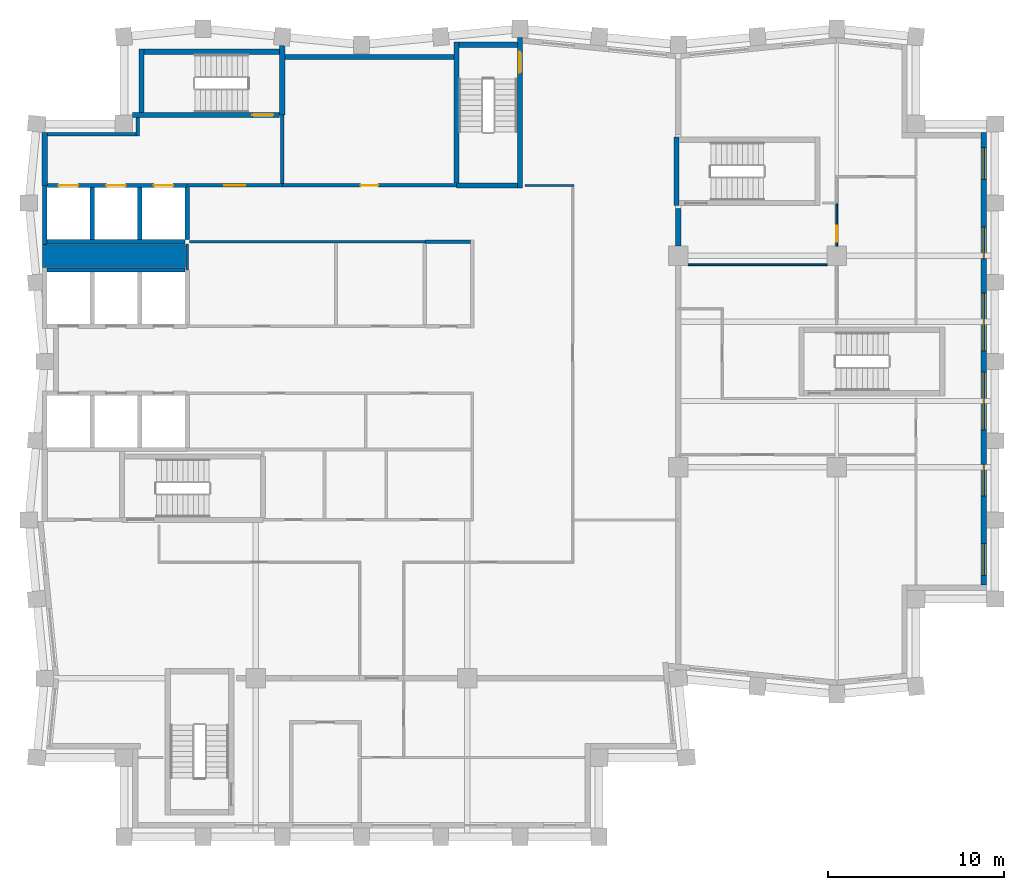
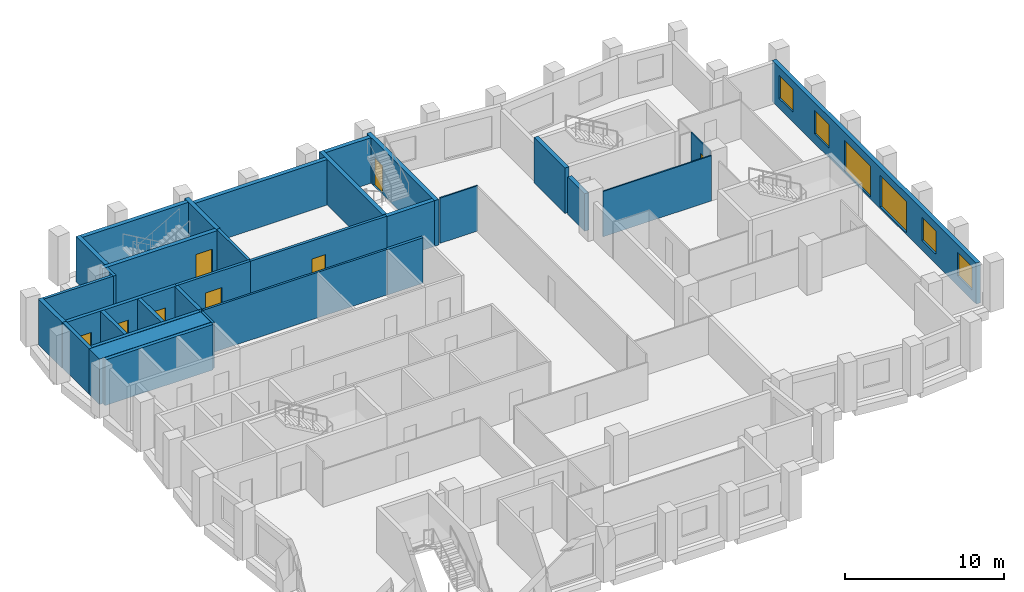
# One storey, part 5 of 8: 32 walls, 8 doors, 6 windows, 14 openings.
"""IFC4 building model written with IfcOpenShell, lengths in metres."""

from ifc_helpers import new_model, si_unit, direction, frame, frame_2d, origin, place, context, subcontext, project, spatial, rectangle, extrude, material, layer, layer_set, type_object, element, fill, save


model = new_model("IFC4")

# Units and contexts
model_context = context("Model", 3, precision=1e-05, world=origin(), true_north=direction((0.0, 1.0)))
body_context = subcontext(model_context, "Body", "Model", "MODEL_VIEW")
ifc_project = project(units=[si_unit("LENGTHUNIT", "METRE"), si_unit("AREAUNIT", "SQUARE_METRE"), si_unit("VOLUMEUNIT", "CUBIC_METRE"), si_unit("PLANEANGLEUNIT", "RADIAN"), si_unit("MASSUNIT", "GRAM", prefix="KILO")], contexts=[model_context])

# Site, building, storey
site_placement = place(None, origin())
site = spatial("IfcSite", under=ifc_project, at=site_placement, CompositionType="ELEMENT")
building_placement = place(site_placement, origin())
building = spatial("IfcBuilding", under=site, at=building_placement, Name="Brondeck Convention Tower", CompositionType="ELEMENT")
storey_placement = place(building_placement, frame((0.0, 0.0, 236.800048828125)))
storey = spatial("IfcBuildingStorey", under=building, at=storey_placement, Name="L58", CompositionType="ELEMENT", Elevation=236.800048828125)

# Walls
ifc_material_1 = material(Name="Concrete compartment wall C30/37", Category="concrete")
ifc_layer_1 = layer(ifc_material_1, 0.300048828125)
ifc_layer_set_1 = layer_set([ifc_layer_1], Name="Compartment wall 300")
wall_type_1 = type_object("IfcWallType", Name="Compartment wall 300", PredefinedType="PARTITIONING", material=ifc_layer_set_1)
wall_1_placement = place(storey_placement, frame((36.0, 51.554931640625, 0.0), z_axis=(0.0, 0.0, 1.0), x_axis=(0.0, 1.0, 0.0)))
element("IfcWall", 1, at=wall_1_placement, inside=storey, type_object=wall_type_1, Name="FLR-L58-W041", PredefinedType="PARTITIONING", context=body_context, shape_type="SweptSolid", body=[
    extrude(rectangle(XDim=2.14501953125, YDim=0.300048828125, at=frame_2d((1.072509765625, 0.0))), origin(), (0.0, 0.0, 1.0), 2.8798828125),
])
ifc_material_2 = material(Name="Concrete C50/60", Category="concrete")
ifc_layer_2 = layer(ifc_material_2, 0.300048828125)
ifc_layer_set_2 = layer_set([ifc_layer_2], Name="Core outer wall 300 Concrete C50/60")
wall_type_2 = type_object("IfcWallType", Name="Core outer wall 300 Concrete C50/60", PredefinedType="SHEAR", material=ifc_layer_set_2)
wall_2_placement = place(storey_placement, frame((13.64990234375, 62.300048828125, 0.0), z_axis=(0.0, 0.0, 1.0), x_axis=(1.0, 0.0, 0.0)))
element("IfcWall", 2, at=wall_2_placement, inside=storey, type_object=wall_type_2, Name="L58 core wall", PredefinedType="SHEAR", context=body_context, shape_type="SweptSolid", body=[
    extrude(rectangle(XDim=9.60009765625, YDim=0.300048828125, at=frame_2d((4.800048828125, 0.0))), origin(), (0.0, 0.0, 1.0), 3.5),
])
wall_3_placement = place(storey_placement, frame((0.0, 55.0, 0.0), z_axis=(0.0, 0.0, 1.0), x_axis=(0.0, 1.0, 0.0)))
element("IfcWall", 3, at=wall_3_placement, inside=storey, type_object=wall_type_2, Name="L58 core wall", PredefinedType="SHEAR", context=body_context, shape_type="SweptSolid", body=[
    extrude(rectangle(XDim=3.0, YDim=0.300048828125, at=frame_2d((1.5, 0.0))), origin(), (0.0, 0.0, 1.0), 3.5),
])
ifc_material_3 = material(Name="Fire-rated gypsum board partition")
ifc_layer_3 = layer(ifc_material_3, 0.14990234375)
ifc_layer_set_3 = layer_set([ifc_layer_3], Name="Core partition 150 EI 60")
wall_type_3 = type_object("IfcWallType", Name="Core partition 150 EI 60", PredefinedType="PARTITIONING", material=ifc_layer_set_3)
wall_4_placement = place(storey_placement, frame((8.22509765625, 51.800048828125, 0.0), z_axis=(0.0, 0.0, 1.0), x_axis=(1.0, 0.0, 0.0)))
element("IfcWall", 4, at=wall_4_placement, inside=storey, type_object=wall_type_3, Name="L58 core wall", PredefinedType="PARTITIONING", context=body_context, shape_type="SweptSolid", body=[
    extrude(rectangle(XDim=13.375, YDim=0.14990234375, at=frame_2d((6.6875, 0.0))), origin(), (0.0, 0.0, 1.0), 3.5),
])
wall_5_placement = place(storey_placement, frame((8.10009765625, 50.199951171875, 0.0), z_axis=(0.0, 0.0, 1.0), x_axis=(0.0, 1.0, 0.0)))
element("IfcWall", 5, at=wall_5_placement, inside=storey, type_object=wall_type_3, Name="L58 core wall", PredefinedType="PARTITIONING", context=body_context, shape_type="SweptSolid", body=[
    extrude(rectangle(XDim=1.47509765625, YDim=0.14990234375, at=frame_2d((0.737548828125, 0.0))), origin(), (0.0, 0.0, 1.0), 3.5),
])
ifc_layer_4 = layer(ifc_material_2, 1.300048828125)
ifc_layer_set_4 = layer_set([ifc_layer_4], Name="Core shear wall 1300 Concrete C50/60")
wall_type_4 = type_object("IfcWallType", Name="Core shear wall 1300 Concrete C50/60", PredefinedType="SHEAR", material=ifc_layer_set_4)
wall_6_placement = place(storey_placement, frame((-0.125, 51.0, 0.0), z_axis=(0.0, 0.0, 1.0), x_axis=(1.0, 0.0, 0.0)))
element("IfcWall", 6, at=wall_6_placement, inside=storey, type_object=wall_type_4, Name="L58 core wall", PredefinedType="SHEAR", context=body_context, shape_type="SweptSolid", body=[
    extrude(rectangle(XDim=8.125, YDim=1.300048828125, at=frame_2d((4.0625, 0.0))), origin(), (0.0, 0.0, 1.0), 3.5),
])

# Wall, openings, windows
ifc_material_4 = material(Name="Precast concrete C50/60 bronze finish", Category="concrete")
ifc_layer_5 = layer(ifc_material_4, 0.070068359375, Name="Bronze precast facing")
ifc_material_5 = material(Name="Mineral wool")
ifc_layer_6 = layer(ifc_material_5, 0.159912109375, Name="Insulation")
ifc_material_6 = material(Name="Concrete C35/45", Category="concrete")
ifc_layer_7 = layer(ifc_material_6, 0.070068359375, Name="Backing")
ifc_layer_set_5 = layer_set([ifc_layer_5, ifc_layer_6, ifc_layer_7], Name="External infill wall, precast concrete C50/60 bronze facing")
wall_type_5 = type_object("IfcWallType", Name="External infill wall, precast concrete C50/60 bronze facing", PredefinedType="SOLIDWALL", material=ifc_layer_set_5)
wall_7_placement = place(storey_placement, frame((53.35009765625, 58.0, 0.0), z_axis=(0.0, 0.0, 1.0), x_axis=(0.0, -1.0, 0.0)))
wall_7 = element("IfcWall", 7, at=wall_7_placement, inside=storey, type_object=wall_type_5, Name="ENV-EW-L58-P2-A-E54-01", PredefinedType="SOLIDWALL", context=body_context, shape_type="SweptSolid", body=[
    extrude(rectangle(XDim=25.701904296875, YDim=0.300048828125, at=frame_2d((12.85107421875, 0.0))), origin(), (0.0, 0.0, 1.0), 3.14990234375),
])
opening_1_placement = place(wall_7_placement, frame((0.85009765625, 0.0, 0.75)))
opening_1 = element("IfcOpeningElement", 8, at=opening_1_placement, cuts=wall_7, Name="Opening W10", PredefinedType="OPENING", context=body_context, shape_type="SweptSolid", body=[
    extrude(rectangle(XDim=1.800048828125, YDim=1.800048828125, at=frame_2d((0.89990234375, 0.89990234375))), frame((0.0, 0.159912109375, 0.0), z_axis=(0.0, -1.0, 0.0), x_axis=(1.0, 0.0, 0.0)), (0.0, 0.0, 1.0), 0.320068359375),
])
opening_2_placement = place(wall_7_placement, frame((5.35009765625, 0.0, 0.75)))
opening_2 = element("IfcOpeningElement", 9, at=opening_2_placement, cuts=wall_7, Name="Opening W10", PredefinedType="OPENING", context=body_context, shape_type="SweptSolid", body=[
    extrude(rectangle(XDim=1.800048828125, YDim=1.800048828125, at=frame_2d((0.89990234375, 0.89990234375))), frame((0.0, 0.159912109375, 0.0), z_axis=(0.0, -1.0, 0.0), x_axis=(1.0, 0.0, 0.0)), (0.0, 0.0, 1.0), 0.320068359375),
])
opening_3_placement = place(wall_7_placement, frame((9.10009765625, 0.0, 0.14990234375)))
opening_3 = element("IfcOpeningElement", 10, at=opening_3_placement, cuts=wall_7, Name="Opening W9", PredefinedType="OPENING", context=body_context, shape_type="SweptSolid", body=[
    extrude(rectangle(XDim=3.300048828125, YDim=2.39990234375, at=frame_2d((1.64990234375, 1.199951171875))), frame((0.0, 0.159912109375, 0.0), z_axis=(0.0, -1.0, 0.0), x_axis=(1.0, 0.0, 0.0)), (0.0, 0.0, 1.0), 0.320068359375),
])
opening_4_placement = place(wall_7_placement, frame((13.60009765625, 0.0, 0.14990234375)))
opening_4 = element("IfcOpeningElement", 11, at=opening_4_placement, cuts=wall_7, Name="Opening W9", PredefinedType="OPENING", context=body_context, shape_type="SweptSolid", body=[
    extrude(rectangle(XDim=3.300048828125, YDim=2.39990234375, at=frame_2d((1.64990234375, 1.199951171875))), frame((0.0, 0.159912109375, 0.0), z_axis=(0.0, -1.0, 0.0), x_axis=(1.0, 0.0, 0.0)), (0.0, 0.0, 1.0), 0.320068359375),
])
opening_5_placement = place(wall_7_placement, frame((18.85009765625, 0.0, 0.75)))
opening_5 = element("IfcOpeningElement", 12, at=opening_5_placement, cuts=wall_7, Name="Opening W10", PredefinedType="OPENING", context=body_context, shape_type="SweptSolid", body=[
    extrude(rectangle(XDim=1.800048828125, YDim=1.800048828125, at=frame_2d((0.89990234375, 0.89990234375))), frame((0.0, 0.159912109375, 0.0), z_axis=(0.0, -1.0, 0.0), x_axis=(1.0, 0.0, 0.0)), (0.0, 0.0, 1.0), 0.320068359375),
])
opening_6_placement = place(wall_7_placement, frame((23.35009765625, 0.0, 0.75)))
opening_6 = element("IfcOpeningElement", 13, at=opening_6_placement, cuts=wall_7, Name="Opening W10", PredefinedType="OPENING", context=body_context, shape_type="SweptSolid", body=[
    extrude(rectangle(XDim=1.800048828125, YDim=1.800048828125, at=frame_2d((0.89990234375, 0.89990234375))), frame((0.0, 0.159912109375, 0.0), z_axis=(0.0, -1.0, 0.0), x_axis=(1.0, 0.0, 0.0)), (0.0, 0.0, 1.0), 0.320068359375),
])
ifc_material_7 = material(Name="Bronze tinted double glazing", Category="glass")
window_type_1 = type_object("IfcWindowType", Name="Glazed flute window, bronze tinted", PartitioningType="SINGLE_PANEL", PredefinedType="WINDOW", material=ifc_material_7)
window_1_placement = place(opening_3_placement, origin())
window_1 = element("IfcWindow", 14, at=window_1_placement, inside=storey, type_object=window_type_1, Name="ENV-WN-L58-P2-A-E54-04", OverallHeight=2.39990234375, OverallWidth=3.300048828125, PartitioningType="SINGLE_PANEL", PredefinedType="WINDOW", context=body_context, shape_type="SweptSolid", body=[
    extrude(rectangle(XDim=3.300048828125, YDim=2.39990234375, at=frame_2d((1.64990234375, 1.199951171875))), frame((0.0, 0.030029296875, 0.0), z_axis=(0.0, -1.0, 0.0), x_axis=(1.0, 0.0, 0.0)), (0.0, 0.0, 1.0), 0.06005859375),
])
fill(opening_3, window_1)
window_2_placement = place(opening_4_placement, origin())
window_2 = element("IfcWindow", 15, at=window_2_placement, inside=storey, type_object=window_type_1, Name="ENV-WN-L58-P2-A-E54-03", OverallHeight=2.39990234375, OverallWidth=3.300048828125, PartitioningType="SINGLE_PANEL", PredefinedType="WINDOW", context=body_context, shape_type="SweptSolid", body=[
    extrude(rectangle(XDim=3.300048828125, YDim=2.39990234375, at=frame_2d((1.64990234375, 1.199951171875))), frame((0.0, 0.030029296875, 0.0), z_axis=(0.0, -1.0, 0.0), x_axis=(1.0, 0.0, 0.0)), (0.0, 0.0, 1.0), 0.06005859375),
])
fill(opening_4, window_2)
window_type_2 = type_object("IfcWindowType", Name="Punched window, bronze tinted", PartitioningType="SINGLE_PANEL", PredefinedType="WINDOW", material=ifc_material_7)
window_3_placement = place(opening_1_placement, origin())
window_3 = element("IfcWindow", 16, at=window_3_placement, inside=storey, type_object=window_type_2, Name="ENV-WN-L58-P2-A-E54-06", OverallHeight=1.800048828125, OverallWidth=1.800048828125, PartitioningType="SINGLE_PANEL", PredefinedType="WINDOW", context=body_context, shape_type="SweptSolid", body=[
    extrude(rectangle(XDim=1.800048828125, YDim=1.800048828125, at=frame_2d((0.89990234375, 0.89990234375))), frame((0.0, 0.030029296875, 0.0), z_axis=(0.0, -1.0, 0.0), x_axis=(1.0, 0.0, 0.0)), (0.0, 0.0, 1.0), 0.06005859375),
])
fill(opening_1, window_3)
window_4_placement = place(opening_2_placement, origin())
window_4 = element("IfcWindow", 17, at=window_4_placement, inside=storey, type_object=window_type_2, Name="ENV-WN-L58-P2-A-E54-05", OverallHeight=1.800048828125, OverallWidth=1.800048828125, PartitioningType="SINGLE_PANEL", PredefinedType="WINDOW", context=body_context, shape_type="SweptSolid", body=[
    extrude(rectangle(XDim=1.800048828125, YDim=1.800048828125, at=frame_2d((0.89990234375, 0.89990234375))), frame((0.0, 0.030029296875, 0.0), z_axis=(0.0, -1.0, 0.0), x_axis=(1.0, 0.0, 0.0)), (0.0, 0.0, 1.0), 0.06005859375),
])
fill(opening_2, window_4)
window_5_placement = place(opening_5_placement, origin())
window_5 = element("IfcWindow", 18, at=window_5_placement, inside=storey, type_object=window_type_2, Name="ENV-WN-L58-P2-A-E54-02", OverallHeight=1.800048828125, OverallWidth=1.800048828125, PartitioningType="SINGLE_PANEL", PredefinedType="WINDOW", context=body_context, shape_type="SweptSolid", body=[
    extrude(rectangle(XDim=1.800048828125, YDim=1.800048828125, at=frame_2d((0.89990234375, 0.89990234375))), frame((0.0, 0.030029296875, 0.0), z_axis=(0.0, -1.0, 0.0), x_axis=(1.0, 0.0, 0.0)), (0.0, 0.0, 1.0), 0.06005859375),
])
fill(opening_5, window_5)
window_6_placement = place(opening_6_placement, origin())
window_6 = element("IfcWindow", 19, at=window_6_placement, inside=storey, type_object=window_type_2, Name="ENV-WN-L58-P2-A-E54-01", OverallHeight=1.800048828125, OverallWidth=1.800048828125, PartitioningType="SINGLE_PANEL", PredefinedType="WINDOW", context=body_context, shape_type="SweptSolid", body=[
    extrude(rectangle(XDim=1.800048828125, YDim=1.800048828125, at=frame_2d((0.89990234375, 0.89990234375))), frame((0.0, 0.030029296875, 0.0), z_axis=(0.0, -1.0, 0.0), x_axis=(1.0, 0.0, 0.0)), (0.0, 0.0, 1.0), 0.06005859375),
])
fill(opening_6, window_6)

# Wall, opening, door
ifc_layer_8 = layer(ifc_material_3, 0.199951171875)
ifc_layer_set_6 = layer_set([ifc_layer_8], Name="Firefighting lobby wall 200 EI 120")
wall_type_6 = type_object("IfcWallType", Name="Firefighting lobby wall 200 EI 120", PredefinedType="PARTITIONING", material=ifc_layer_set_6)
wall_8_placement = place(storey_placement, frame((8.10009765625, 55.0, 0.0), z_axis=(0.0, 0.0, 1.0), x_axis=(1.0, 0.0, 0.0)))
wall_8 = element("IfcWall", 20, at=wall_8_placement, inside=storey, type_object=wall_type_6, Name="L58 core wall", PredefinedType="PARTITIONING", context=body_context, shape_type="SweptSolid", body=[
    extrude(rectangle(XDim=5.39990234375, YDim=0.199951171875, at=frame_2d((2.699951171875, 0.0))), origin(), (0.0, 0.0, 1.0), 3.5),
])
opening_7_placement = place(wall_8_placement, frame((2.10009765625, 0.0, 0.0)))
opening_7 = element("IfcOpeningElement", 21, at=opening_7_placement, cuts=wall_8, Name="Opening C31-01", PredefinedType="OPENING", context=body_context, shape_type="SweptSolid", body=[
    extrude(rectangle(XDim=1.199951171875, YDim=2.199951171875, at=frame_2d((0.60009765625, 1.10009765625))), frame((0.0, 0.10986328125, 0.0), z_axis=(0.0, -1.0, 0.0), x_axis=(1.0, 0.0, 0.0)), (0.0, 0.0, 1.0), 0.219970703125),
])
ifc_material_8 = material(Name="Steel fire door", Category="steel")
door_type_1 = type_object("IfcDoorType", Name="Firefighting lobby door 1200x2200 EI 120", OperationType="NOTDEFINED", PredefinedType="DOOR", material=ifc_material_8)
door_1_placement = place(opening_7_placement, origin())
door_1 = element("IfcDoor", 22, at=door_1_placement, inside=storey, type_object=door_type_1, Name="L58 Firefighting lobby door FFL-1", OperationType="SINGLE_SWING_RIGHT", OverallHeight=2.199951171875, OverallWidth=1.199951171875, PredefinedType="DOOR", context=body_context, shape_type="SweptSolid", body=[
    extrude(rectangle(XDim=1.199951171875, YDim=2.199951171875, at=frame_2d((0.60009765625, 1.10009765625))), frame((0.0, 0.02490234375, 0.0), z_axis=(0.0, -1.0, 0.0), x_axis=(1.0, 0.0, 0.0)), (0.0, 0.0, 1.0), 0.050048828125),
])
fill(opening_7, door_1)

# Walls
wall_9_placement = place(storey_placement, frame((0.14990234375, 57.89990234375, 0.0), z_axis=(0.0, 0.0, 1.0), x_axis=(1.0, 0.0, 0.0)))
element("IfcWall", 23, at=wall_9_placement, inside=storey, type_object=wall_type_6, Name="L58 core wall", PredefinedType="PARTITIONING", context=body_context, shape_type="SweptSolid", body=[
    extrude(rectangle(XDim=5.050048828125, YDim=0.199951171875, at=frame_2d((2.52490234375, 0.0))), origin(), (0.0, 0.0, 1.0), 3.5),
])
wall_10_placement = place(storey_placement, frame((5.300048828125, 57.800048828125, 0.0), z_axis=(0.0, 0.0, 1.0), x_axis=(0.0, 1.0, 0.0)))
element("IfcWall", 24, at=wall_10_placement, inside=storey, type_object=wall_type_6, Name="L58 core wall", PredefinedType="PARTITIONING", context=body_context, shape_type="SweptSolid", body=[
    extrude(rectangle(XDim=1.050048828125, YDim=0.199951171875, at=frame_2d((0.52490234375, 0.0))), origin(), (0.0, 0.0, 1.0), 3.5),
])
wall_11_placement = place(storey_placement, frame((13.5, 55.10009765625, 0.0), z_axis=(0.0, 0.0, 1.0), x_axis=(0.0, 1.0, 0.0)))
element("IfcWall", 25, at=wall_11_placement, inside=storey, type_object=wall_type_6, Name="L58 core wall", PredefinedType="PARTITIONING", context=body_context, shape_type="SweptSolid", body=[
    extrude(rectangle(XDim=3.89990234375, YDim=0.199951171875, at=frame_2d((1.949951171875, 0.0))), origin(), (0.0, 0.0, 1.0), 3.5),
])
ifc_layer_9 = layer(ifc_material_2, 0.25)
ifc_layer_set_7 = layer_set([ifc_layer_9], Name="Lift shaft wall 250 Concrete C50/60")
wall_type_7 = type_object("IfcWallType", Name="Lift shaft wall 250 Concrete C50/60", PredefinedType="SHEAR", material=ifc_layer_set_7)
for number, where, z_axis, x_axis, name in (
    (26, (0.125, 50.199951171875, 0.0), (0.0, 0.0, 1.0), (1.0, 0.0, 0.0), "L58 core wall"),
    (27, (0.125, 51.800048828125, 0.0), (0.0, 0.0, 1.0), (1.0, 0.0, 0.0), "L58 core wall"),
):
    element("IfcWall", number, at=place(storey_placement, frame(where, z_axis=z_axis, x_axis=x_axis)), inside=storey, type_object=wall_type_7, Name=name, PredefinedType="SHEAR", context=body_context, shape_type="SweptSolid", body=[
        extrude(rectangle(XDim=7.85009765625, YDim=0.25, at=frame_2d((3.925048828125, 0.0))), origin(), (0.0, 0.0, 1.0), 3.5),
    ])

# Wall, openings, doors
wall_12_placement = place(storey_placement, frame((0.14990234375, 55.0, 0.0), z_axis=(0.0, 0.0, 1.0), x_axis=(1.0, 0.0, 0.0)))
wall_12 = element("IfcWall", 28, at=wall_12_placement, inside=storey, type_object=wall_type_7, Name="L58 core wall", PredefinedType="SHEAR", context=body_context, shape_type="SweptSolid", body=[
    extrude(rectangle(XDim=7.9501953125, YDim=0.25, at=frame_2d((3.97509765625, 0.0))), origin(), (0.0, 0.0, 1.0), 3.5),
])
opening_8_placement = place(wall_12_placement, frame((0.64990234375, 0.0, 0.0)))
opening_8 = element("IfcOpeningElement", 29, at=opening_8_placement, cuts=wall_12, Name="Opening C31-18", PredefinedType="OPENING", context=body_context, shape_type="SweptSolid", body=[
    extrude(rectangle(XDim=1.10009765625, YDim=2.10009765625, at=frame_2d((0.550048828125, 1.050048828125))), frame((0.0, 0.135009765625, 0.0), z_axis=(0.0, -1.0, 0.0), x_axis=(1.0, 0.0, 0.0)), (0.0, 0.0, 1.0), 0.27001953125),
])
opening_9_placement = place(wall_12_placement, frame((3.35009765625, 0.0, 0.0)))
opening_9 = element("IfcOpeningElement", 30, at=opening_9_placement, cuts=wall_12, Name="Opening C31-19", PredefinedType="OPENING", context=body_context, shape_type="SweptSolid", body=[
    extrude(rectangle(XDim=1.10009765625, YDim=2.10009765625, at=frame_2d((0.550048828125, 1.050048828125))), frame((0.0, 0.135009765625, 0.0), z_axis=(0.0, -1.0, 0.0), x_axis=(1.0, 0.0, 0.0)), (0.0, 0.0, 1.0), 0.27001953125),
])
opening_10_placement = place(wall_12_placement, frame((6.050048828125, 0.0, 0.0)))
opening_10 = element("IfcOpeningElement", 31, at=opening_10_placement, cuts=wall_12, Name="Opening C31-20", PredefinedType="OPENING", context=body_context, shape_type="SweptSolid", body=[
    extrude(rectangle(XDim=1.10009765625, YDim=2.10009765625, at=frame_2d((0.550048828125, 1.050048828125))), frame((0.0, 0.135009765625, 0.0), z_axis=(0.0, -1.0, 0.0), x_axis=(1.0, 0.0, 0.0)), (0.0, 0.0, 1.0), 0.27001953125),
])
ifc_material_9 = material(Name="Stainless steel lift door", Category="steel")
door_type_2 = type_object("IfcDoorType", Name="Lift landing door 1100x2100 EI 180", OperationType="DOUBLE_DOOR_SLIDING", PredefinedType="DOOR", material=ifc_material_9)
door_2_placement = place(opening_8_placement, origin())
door_2 = element("IfcDoor", 32, at=door_2_placement, inside=storey, type_object=door_type_2, Name="L58 Lift landing door FF1", OperationType="DOUBLE_DOOR_SLIDING", OverallHeight=2.10009765625, OverallWidth=1.10009765625, PredefinedType="DOOR", context=body_context, shape_type="SweptSolid", body=[
    extrude(rectangle(XDim=1.10009765625, YDim=2.10009765625, at=frame_2d((0.550048828125, 1.050048828125))), frame((0.0, 0.02490234375, 0.0), z_axis=(0.0, -1.0, 0.0), x_axis=(1.0, 0.0, 0.0)), (0.0, 0.0, 1.0), 0.050048828125),
])
fill(opening_8, door_2)
door_3_placement = place(opening_9_placement, origin())
door_3 = element("IfcDoor", 33, at=door_3_placement, inside=storey, type_object=door_type_2, Name="L58 Lift landing door FF2", OperationType="DOUBLE_DOOR_SLIDING", OverallHeight=2.10009765625, OverallWidth=1.10009765625, PredefinedType="DOOR", context=body_context, shape_type="SweptSolid", body=[
    extrude(rectangle(XDim=1.10009765625, YDim=2.10009765625, at=frame_2d((0.550048828125, 1.050048828125))), frame((0.0, 0.02490234375, 0.0), z_axis=(0.0, -1.0, 0.0), x_axis=(1.0, 0.0, 0.0)), (0.0, 0.0, 1.0), 0.050048828125),
])
fill(opening_9, door_3)
door_4_placement = place(opening_10_placement, origin())
door_4 = element("IfcDoor", 34, at=door_4_placement, inside=storey, type_object=door_type_2, Name="L58 Lift landing door FF3", OperationType="DOUBLE_DOOR_SLIDING", OverallHeight=2.10009765625, OverallWidth=1.10009765625, PredefinedType="DOOR", context=body_context, shape_type="SweptSolid", body=[
    extrude(rectangle(XDim=1.10009765625, YDim=2.10009765625, at=frame_2d((0.550048828125, 1.050048828125))), frame((0.0, 0.02490234375, 0.0), z_axis=(0.0, -1.0, 0.0), x_axis=(1.0, 0.0, 0.0)), (0.0, 0.0, 1.0), 0.050048828125),
])
fill(opening_10, door_4)

# Walls
wall_13_placement = place(storey_placement, frame((0.0, 51.64990234375, 0.0), z_axis=(0.0, 0.0, 1.0), x_axis=(0.0, 1.0, 0.0)))
element("IfcWall", 35, at=wall_13_placement, inside=storey, type_object=wall_type_7, Name="L58 core wall", PredefinedType="SHEAR", context=body_context, shape_type="SweptSolid", body=[
    extrude(rectangle(XDim=3.35009765625, YDim=0.25, at=frame_2d((1.675048828125, 0.0))), origin(), (0.0, 0.0, 1.0), 3.5),
])
for number, where, z_axis, x_axis, name in (
    (36, (2.699951171875, 51.925048828125, 0.0), (0.0, 0.0, 1.0), (0.0, 1.0, 0.0), "L58 core wall"),
    (37, (5.39990234375, 51.925048828125, 0.0), (0.0, 0.0, 1.0), (0.0, 1.0, 0.0), "L58 core wall"),
    (38, (8.10009765625, 51.925048828125, 0.0), (0.0, 0.0, 1.0), (0.0, 1.0, 0.0), "L58 core wall"),
):
    element("IfcWall", number, at=place(storey_placement, frame(where, z_axis=z_axis, x_axis=x_axis)), inside=storey, type_object=wall_type_7, Name=name, PredefinedType="SHEAR", context=body_context, shape_type="SweptSolid", body=[
        extrude(rectangle(XDim=2.949951171875, YDim=0.25, at=frame_2d((1.47509765625, 0.0))), origin(), (0.0, 0.0, 1.0), 3.5),
    ])
ifc_layer_10 = layer(ifc_material_3, 0.199951171875)
ifc_layer_set_8 = layer_set([ifc_layer_10], Name="Riser wall 200 EI 120")
wall_type_8 = type_object("IfcWallType", Name="Riser wall 200 EI 120", PredefinedType="PARTITIONING", material=ifc_layer_set_8)
wall_14_placement = place(storey_placement, frame((21.60009765625, 51.800048828125, 0.0), z_axis=(0.0, 0.0, 1.0), x_axis=(1.0, 0.0, 0.0)))
element("IfcWall", 39, at=wall_14_placement, inside=storey, type_object=wall_type_8, Name="L58 core wall", PredefinedType="PARTITIONING", context=body_context, shape_type="SweptSolid", body=[
    extrude(rectangle(XDim=2.599853515625, YDim=0.199951171875, at=frame_2d((1.2998046875, 0.0))), origin(), (0.0, 0.0, 1.0), 3.5),
])

# Wall, opening, door
wall_15_placement = place(storey_placement, frame((13.5, 55.0, 0.0), z_axis=(0.0, 0.0, 1.0), x_axis=(1.0, 0.0, 0.0)))
wall_15 = element("IfcWall", 40, at=wall_15_placement, inside=storey, type_object=wall_type_8, Name="L58 core wall", PredefinedType="PARTITIONING", context=body_context, shape_type="SweptSolid", body=[
    extrude(rectangle(XDim=9.89990234375, YDim=0.199951171875, at=frame_2d((4.949951171875, 0.0))), origin(), (0.0, 0.0, 1.0), 3.5),
])
opening_11_placement = place(wall_15_placement, frame((4.449951171875, 0.0, 0.0)))
opening_11 = element("IfcOpeningElement", 41, at=opening_11_placement, cuts=wall_15, Name="Opening C31-11", PredefinedType="OPENING", context=body_context, shape_type="SweptSolid", body=[
    extrude(rectangle(XDim=1.0, YDim=2.10009765625, at=frame_2d((0.5, 1.050048828125))), frame((0.0, 0.10986328125, 0.0), z_axis=(0.0, -1.0, 0.0), x_axis=(1.0, 0.0, 0.0)), (0.0, 0.0, 1.0), 0.219970703125),
])
door_type_3 = type_object("IfcDoorType", Name="Riser door 1000x2100 EI 120", OperationType="NOTDEFINED", PredefinedType="DOOR", material=ifc_material_8)
door_5_placement = place(opening_11_placement, origin())
door_5 = element("IfcDoor", 42, at=door_5_placement, inside=storey, type_object=door_type_3, Name="L58 Riser door NE-1", OperationType="SINGLE_SWING_LEFT", OverallHeight=2.10009765625, OverallWidth=1.0, PredefinedType="DOOR", context=body_context, shape_type="SweptSolid", body=[
    extrude(rectangle(XDim=1.0, YDim=2.10009765625, at=frame_2d((0.5, 1.050048828125))), frame((0.0, 0.02490234375, 0.0), z_axis=(0.0, -1.0, 0.0), x_axis=(1.0, 0.0, 0.0)), (0.0, 0.0, 1.0), 0.050048828125),
])
fill(opening_11, door_5)

# Wall
ifc_material_10 = material(Name="Gypsum board partition on steel studs", Category="steel")
ifc_layer_11 = layer(ifc_material_10, 0.10009765625)
ifc_layer_set_9 = layer_set([ifc_layer_11], Name="Room partition 100")
wall_type_9 = type_object("IfcWallType", Name="Room partition 100", PredefinedType="PARTITIONING", material=ifc_layer_set_9)
wall_16_placement = place(storey_placement, frame((44.445068359375, 50.5, 0.0), z_axis=(0.0, 0.0, 1.0), x_axis=(-1.0, 0.0, 0.0)))
element("IfcWall", 43, at=wall_16_placement, inside=storey, type_object=wall_type_9, Name="FLR-L58-W040", PredefinedType="PARTITIONING", context=body_context, shape_type="SweptSolid", body=[
    extrude(rectangle(XDim=7.89013671875, YDim=0.10009765625, at=frame_2d((3.945068359375, 0.0))), origin(), (0.0, 0.0, 1.0), 3.47998046875),
])

# Wall, opening, door
wall_17_placement = place(storey_placement, frame((45.0, 53.949951171875, 0.0), z_axis=(0.0, 0.0, 1.0), x_axis=(0.0, -1.0, 0.0)))
wall_17 = element("IfcWall", 44, at=wall_17_placement, inside=storey, type_object=wall_type_9, Name="FLR-L58-W042", PredefinedType="PARTITIONING", context=body_context, shape_type="SweptSolid", body=[
    extrude(rectangle(XDim=2.39501953125, YDim=0.10009765625, at=frame_2d((1.197509765625, 0.0))), origin(), (0.0, 0.0, 1.0), 2.97998046875),
])
opening_12_placement = place(wall_17_placement, frame((1.25, 0.0, 0.0)))
opening_12 = element("IfcOpeningElement", 45, at=opening_12_placement, cuts=wall_17, Name="Opening OF-N-005", PredefinedType="OPENING", context=body_context, shape_type="SweptSolid", body=[
    extrude(rectangle(XDim=0.89990234375, YDim=2.10009765625, at=frame_2d((0.449951171875, 1.050048828125))), frame((0.0, 0.06005859375, 0.0), z_axis=(0.0, -1.0, 0.0), x_axis=(1.0, 0.0, 0.0)), (0.0, 0.0, 1.0), 0.1201171875),
])
ifc_material_11 = material(Name="Solid timber door leaf", Category="wood")
door_type_4 = type_object("IfcDoorType", Name="Single door 900", OperationType="NOTDEFINED", PredefinedType="DOOR", material=ifc_material_11)
door_6_placement = place(opening_12_placement, origin())
door_6 = element("IfcDoor", 46, at=door_6_placement, inside=storey, type_object=door_type_4, Name="Door OF-N-005", OperationType="SINGLE_SWING_LEFT", OverallHeight=2.10009765625, OverallWidth=0.89990234375, PredefinedType="DOOR", context=body_context, shape_type="SweptSolid", body=[
    extrude(rectangle(XDim=0.89990234375, YDim=2.10009765625, at=frame_2d((0.449951171875, 1.050048828125))), frame((0.0, 0.02490234375, 0.0), z_axis=(0.0, -1.0, 0.0), x_axis=(1.0, 0.0, 0.0)), (0.0, 0.0, 1.0), 0.050048828125),
])
fill(opening_12, door_6)

# Walls
wall_18_placement = place(storey_placement, frame((27.300048828125, 55.0, 0.0), z_axis=(0.0, 0.0, 1.0), x_axis=(1.0, 0.0, 0.0)))
element("IfcWall", 47, at=wall_18_placement, inside=storey, type_object=wall_type_9, Name="FLR-L58-W046", PredefinedType="PARTITIONING", context=body_context, shape_type="SweptSolid", body=[
    extrude(rectangle(XDim=2.75, YDim=0.10009765625, at=frame_2d((1.375, 0.0))), origin(), (0.0, 0.0, 1.0), 3.47998046875),
])
ifc_layer_12 = layer(ifc_material_2, 0.300048828125)
ifc_layer_set_10 = layer_set([ifc_layer_12], Name="Stair enclosure wall 300 Concrete C50/60")
wall_type_10 = type_object("IfcWallType", Name="Stair enclosure wall 300 Concrete C50/60", PredefinedType="SHEAR", material=ifc_layer_set_10)
wall_19_placement = place(storey_placement, frame((23.39990234375, 55.0, 0.0), z_axis=(0.0, 0.0, 1.0), x_axis=(1.0, 0.0, 0.0)))
element("IfcWall", 48, at=wall_19_placement, inside=storey, type_object=wall_type_10, Name="L58 core wall", PredefinedType="SHEAR", context=body_context, shape_type="SweptSolid", body=[
    extrude(rectangle(XDim=3.4501953125, YDim=0.300048828125, at=frame_2d((1.72509765625, 0.0))), origin(), (0.0, 0.0, 1.0), 3.5),
])

# Wall, opening, door
wall_20_placement = place(storey_placement, frame((5.0, 59.0, 0.0), z_axis=(0.0, 0.0, 1.0), x_axis=(1.0, 0.0, 0.0)))
wall_20 = element("IfcWall", 49, at=wall_20_placement, inside=storey, type_object=wall_type_10, Name="L58 core wall", PredefinedType="SHEAR", context=body_context, shape_type="SweptSolid", body=[
    extrude(rectangle(XDim=8.35009765625, YDim=0.300048828125, at=frame_2d((4.175048828125, 0.0))), origin(), (0.0, 0.0, 1.0), 3.5),
])
opening_13_placement = place(wall_20_placement, frame((6.800048828125, 0.0, 0.0)))
opening_13 = element("IfcOpeningElement", 50, at=opening_13_placement, cuts=wall_20, Name="Opening C31-14", PredefinedType="OPENING", context=body_context, shape_type="SweptSolid", body=[
    extrude(rectangle(XDim=1.199951171875, YDim=2.199951171875, at=frame_2d((0.60009765625, 1.10009765625))), frame((0.0, 0.159912109375, 0.0), z_axis=(0.0, -1.0, 0.0), x_axis=(1.0, 0.0, 0.0)), (0.0, 0.0, 1.0), 0.320068359375),
])
door_type_5 = type_object("IfcDoorType", Name="Stair door 1200x2200 EI 120", OperationType="NOTDEFINED", PredefinedType="DOOR", material=ifc_material_8)
door_7_placement = place(opening_13_placement, origin())
door_7 = element("IfcDoor", 51, at=door_7_placement, inside=storey, type_object=door_type_5, Name="L58 Stair door ST-3", OperationType="SINGLE_SWING_RIGHT", OverallHeight=2.199951171875, OverallWidth=1.199951171875, PredefinedType="DOOR", context=body_context, shape_type="SweptSolid", body=[
    extrude(rectangle(XDim=1.199951171875, YDim=2.199951171875, at=frame_2d((0.60009765625, 1.10009765625))), frame((0.0, 0.02490234375, 0.0), z_axis=(0.0, -1.0, 0.0), x_axis=(1.0, 0.0, 0.0)), (0.0, 0.0, 1.0), 0.050048828125),
])
fill(opening_13, door_7)

# Walls
wall_21_placement = place(storey_placement, frame((5.64990234375, 62.60009765625, 0.0), z_axis=(0.0, 0.0, 1.0), x_axis=(1.0, 0.0, 0.0)))
element("IfcWall", 52, at=wall_21_placement, inside=storey, type_object=wall_type_10, Name="L58 core wall", PredefinedType="SHEAR", context=body_context, shape_type="SweptSolid", body=[
    extrude(rectangle(XDim=7.7001953125, YDim=0.300048828125, at=frame_2d((3.85009765625, 0.0))), origin(), (0.0, 0.0, 1.0), 3.5),
])
wall_22_placement = place(storey_placement, frame((23.550048828125, 63.0, 0.0), z_axis=(0.0, 0.0, 1.0), x_axis=(1.0, 0.0, 0.0)))
element("IfcWall", 53, at=wall_22_placement, inside=storey, type_object=wall_type_10, Name="L58 core wall", PredefinedType="SHEAR", context=body_context, shape_type="SweptSolid", body=[
    extrude(rectangle(XDim=3.300048828125, YDim=0.300048828125, at=frame_2d((1.64990234375, 0.0))), origin(), (0.0, 0.0, 1.0), 3.5),
])
wall_23_placement = place(storey_placement, frame((5.5, 59.14990234375, 0.0), z_axis=(0.0, 0.0, 1.0), x_axis=(0.0, 1.0, 0.0)))
element("IfcWall", 54, at=wall_23_placement, inside=storey, type_object=wall_type_10, Name="L58 core wall", PredefinedType="SHEAR", context=body_context, shape_type="SweptSolid", body=[
    extrude(rectangle(XDim=3.60009765625, YDim=0.300048828125, at=frame_2d((1.800048828125, 0.0))), origin(), (0.0, 0.0, 1.0), 3.5),
])
wall_24_placement = place(storey_placement, frame((13.5, 59.0, 0.0), z_axis=(0.0, 0.0, 1.0), x_axis=(0.0, 1.0, 0.0)))
element("IfcWall", 55, at=wall_24_placement, inside=storey, type_object=wall_type_10, Name="L58 core wall", PredefinedType="SHEAR", context=body_context, shape_type="SweptSolid", body=[
    extrude(rectangle(XDim=3.947509765625, YDim=0.300048828125, at=frame_2d((1.9736328125, 0.0))), origin(), (0.0, 0.0, 1.0), 3.5),
])
wall_25_placement = place(storey_placement, frame((23.39990234375, 55.14990234375, 0.0), z_axis=(0.0, 0.0, 1.0), x_axis=(0.0, 1.0, 0.0)))
element("IfcWall", 56, at=wall_25_placement, inside=storey, type_object=wall_type_10, Name="L58 core wall", PredefinedType="SHEAR", context=body_context, shape_type="SweptSolid", body=[
    extrude(rectangle(XDim=8.0, YDim=0.300048828125, at=frame_2d((4.0, 0.0))), origin(), (0.0, 0.0, 1.0), 3.5),
])

# Wall, opening, door
wall_26_placement = place(storey_placement, frame((27.0, 54.85009765625, 0.0), z_axis=(0.0, 0.0, 1.0), x_axis=(0.0, 1.0, 0.0)))
wall_26 = element("IfcWall", 57, at=wall_26_placement, inside=storey, type_object=wall_type_10, Name="L58 core wall", PredefinedType="SHEAR", context=body_context, shape_type="SweptSolid", body=[
    extrude(rectangle(XDim=8.5498046875, YDim=0.300048828125, at=frame_2d((4.27490234375, 0.0))), origin(), (0.0, 0.0, 1.0), 3.5),
])
opening_14_placement = place(wall_26_placement, frame((6.550048828125, 0.0, 0.0)))
opening_14 = element("IfcOpeningElement", 58, at=opening_14_placement, cuts=wall_26, Name="Opening C31-13", PredefinedType="OPENING", context=body_context, shape_type="SweptSolid", body=[
    extrude(rectangle(XDim=1.199951171875, YDim=2.199951171875, at=frame_2d((0.60009765625, 1.10009765625))), frame((0.0, 0.159912109375, 0.0), z_axis=(0.0, -1.0, 0.0), x_axis=(1.0, 0.0, 0.0)), (0.0, 0.0, 1.0), 0.320068359375),
])
door_type_6 = type_object("IfcDoorType", Name="Stair door 1200x2200 EI 90", OperationType="NOTDEFINED", PredefinedType="DOOR", material=ifc_material_8)
door_8_placement = place(opening_14_placement, origin())
door_8 = element("IfcDoor", 59, at=door_8_placement, inside=storey, type_object=door_type_6, Name="L58 Stair door ST-2", OperationType="SINGLE_SWING_LEFT", OverallHeight=2.199951171875, OverallWidth=1.199951171875, PredefinedType="DOOR", context=body_context, shape_type="SweptSolid", body=[
    extrude(rectangle(XDim=1.199951171875, YDim=2.199951171875, at=frame_2d((0.60009765625, 1.10009765625))), frame((0.0, 0.02490234375, 0.0), z_axis=(0.0, -1.0, 0.0), x_axis=(1.0, 0.0, 0.0)), (0.0, 0.0, 1.0), 0.050048828125),
])
fill(opening_14, door_8)

# Wall
wall_27_placement = place(storey_placement, frame((35.89990234375, 53.85009765625, 0.0), z_axis=(0.0, 0.0, 1.0), x_axis=(0.0, 1.0, 0.0)))
element("IfcWall", 60, at=wall_27_placement, inside=storey, type_object=wall_type_10, Name="L58 core wall", PredefinedType="SHEAR", context=body_context, shape_type="SweptSolid", body=[
    extrude(rectangle(XDim=3.89990234375, YDim=0.300048828125, at=frame_2d((1.949951171875, 0.0))), origin(), (0.0, 0.0, 1.0), 3.5),
])

save(model, "model.ifc")
